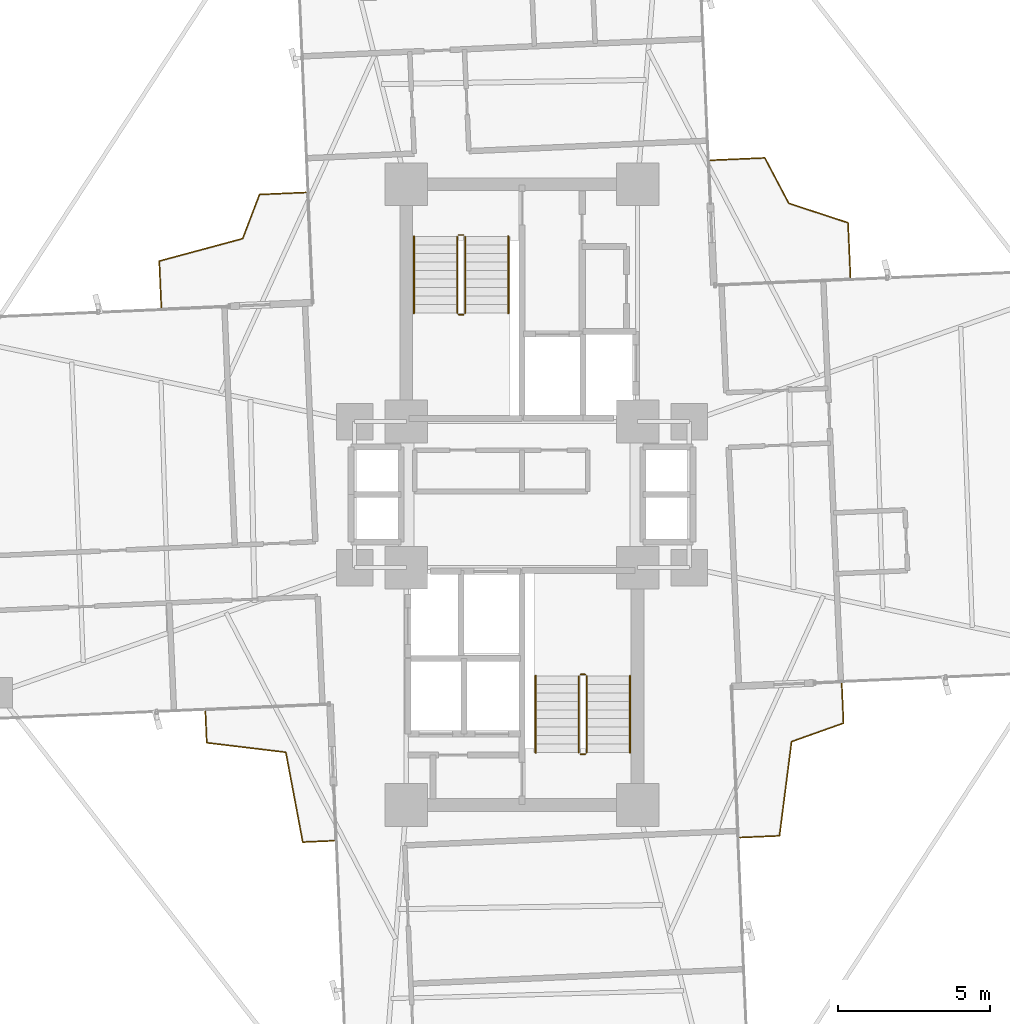
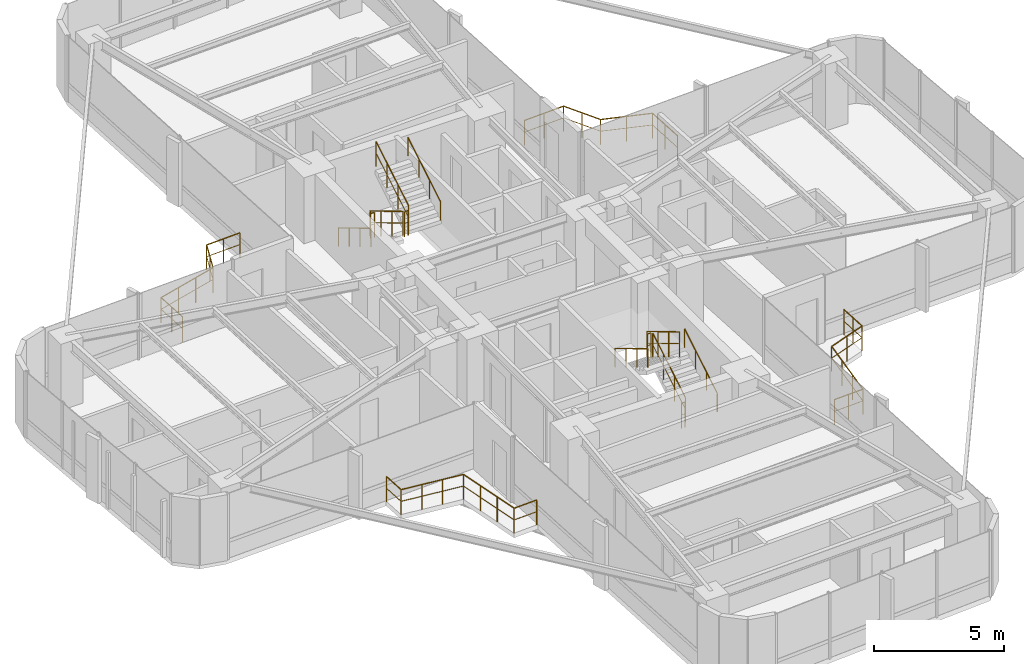
# One storey, part 26 of 26: 16 railings.
"""IFC4 building model written with IfcOpenShell, lengths in metres."""

from ifc_helpers import new_model, si_unit, direction, frame, origin, origin_2d, place, context, subcontext, project, spatial, circle, extrude, material, type_object, element, save


model = new_model("IFC4")

# Units and contexts
model_context = context("Model", 3, precision=1e-05, world=origin(), true_north=direction((0.0, 1.0)))
body_context = subcontext(model_context, "Body", "Model", "MODEL_VIEW")
ifc_project = project(units=[si_unit("LENGTHUNIT", "METRE"), si_unit("AREAUNIT", "SQUARE_METRE"), si_unit("VOLUMEUNIT", "CUBIC_METRE"), si_unit("PLANEANGLEUNIT", "RADIAN"), si_unit("MASSUNIT", "GRAM", prefix="KILO")], contexts=[model_context])

# Site, building, storey
site_placement = place(None, origin())
site = spatial("IfcSite", under=ifc_project, at=site_placement, CompositionType="ELEMENT")
building_placement = place(site_placement, origin())
building = spatial("IfcBuilding", under=site, at=building_placement, Name="Sahyath Konkavel Grand Hotel", CompositionType="ELEMENT")
storey_placement = place(building_placement, frame((0.0, 0.0, 86.85009765625)))
storey = spatial("IfcBuildingStorey", under=building, at=storey_placement, Name="L23", CompositionType="ELEMENT", Elevation=86.85009765625)

# Railings
ifc_material_1 = material(Name="Anodised Bronze Aluminium", Category="aluminium")
railing_type_1 = type_object("IfcRailingType", Name="RLG-BALC-1200", PredefinedType="GUARDRAIL", material=ifc_material_1)
railing_1_placement = place(storey_placement, frame((10.7939453125, 7.1376953125, 0.0)))
element("IfcRailing", 1, at=railing_1_placement, inside=storey, type_object=railing_type_1, Name="L23 Winter-Garden Guard NE", PredefinedType="GUARDRAIL", context=body_context, shape_type="SweptSolid", body=[
    extrude(circle(Radius=0.02392578125, at=origin_2d()), frame((0.0, 0.001953125, 1.17578125), z_axis=(-0.043631878101, 0.999047676146, 0.0), x_axis=(-0.999047676146, -0.043631878101, 0.0)), (0.0, 0.0, 1.0), 1.792236328125),
    extrude(circle(Radius=0.01416015625, at=origin_2d()), frame((0.0, 0.001953125, 0.6240234375), z_axis=(-0.043631878101, 0.999047676146, 0.0), x_axis=(-0.999047676146, -0.043631878101, 0.0)), (0.0, 0.0, 1.0), 1.792236328125),
    extrude(circle(Radius=0.02392578125, at=origin_2d()), frame((-0.080322265625, 1.795166015625, 1.17578125), z_axis=(-0.95035035688, 0.311181939029, 0.0), x_axis=(-0.311181939029, -0.95035035688, 0.0)), (0.0, 0.0, 1.0), 2.04443359375),
    extrude(circle(Radius=0.01416015625, at=origin_2d()), frame((-0.080322265625, 1.795166015625, 0.6240234375), z_axis=(-0.95035035688, 0.311181939029, 0.0), x_axis=(-0.311181939029, -0.95035035688, 0.0)), (0.0, 0.0, 1.0), 2.04443359375),
    extrude(circle(Radius=0.02392578125, at=origin_2d()), frame((-2.026123046875, 2.43359375, 1.17578125), z_axis=(-0.466306338876, 0.884623308716, 0.0), x_axis=(-0.884623308716, -0.466306338876, 0.0)), (0.0, 0.0, 1.0), 1.68505859375),
    extrude(circle(Radius=0.01416015625, at=origin_2d()), frame((-2.026123046875, 2.43359375, 0.6240234375), z_axis=(-0.466306338876, 0.884623308716, 0.0), x_axis=(-0.884623308716, -0.466306338876, 0.0)), (0.0, 0.0, 1.0), 1.68505859375),
    extrude(circle(Radius=0.02392578125, at=origin_2d()), frame((-2.814697265625, 3.926025390625, 1.17578125), z_axis=(-0.999047676146, -0.043631878101, 0.0), x_axis=(0.043631878101, -0.999047676146, 0.0)), (0.0, 0.0, 1.0), 1.792236328125),
    extrude(circle(Radius=0.01416015625, at=origin_2d()), frame((-2.814697265625, 3.926025390625, 0.6240234375), z_axis=(-0.999047676146, -0.043631878101, 0.0), x_axis=(0.043631878101, -0.999047676146, 0.0)), (0.0, 0.0, 1.0), 1.792236328125),
    extrude(circle(Radius=0.02099609375, at=origin_2d()), origin(), (0.0, 0.0, 1.0), 1.15185546875),
    extrude(circle(Radius=0.02099609375, at=origin_2d()), frame((-0.0390625, 0.897216796875, 0.0)), (0.0, 0.0, 1.0), 1.15185546875),
    extrude(circle(Radius=0.02099609375, at=origin_2d()), frame((-0.078369140625, 1.79443359375, 0.0)), (0.0, 0.0, 1.0), 1.15185546875),
    extrude(circle(Radius=0.02099609375, at=origin_2d()), frame((-1.0517578125, 2.11328125, 0.0)), (0.0, 0.0, 1.0), 1.15185546875),
    extrude(circle(Radius=0.02099609375, at=origin_2d()), frame((-2.025146484375, 2.431884765625, 0.0)), (0.0, 0.0, 1.0), 1.15185546875),
    extrude(circle(Radius=0.02099609375, at=origin_2d()), frame((-2.4189453125, 3.178955078125, 0.0)), (0.0, 0.0, 1.0), 1.15185546875),
    extrude(circle(Radius=0.02099609375, at=origin_2d()), frame((-2.812744140625, 3.926025390625, 0.0)), (0.0, 0.0, 1.0), 1.15185546875),
    extrude(circle(Radius=0.02099609375, at=origin_2d()), frame((-3.7099609375, 3.88671875, 0.0)), (0.0, 0.0, 1.0), 1.15185546875),
    extrude(circle(Radius=0.02099609375, at=origin_2d()), frame((-4.607177734375, 3.84765625, 0.0)), (0.0, 0.0, 1.0), 1.15185546875),
])
railing_2_placement = place(storey_placement, frame((-7.099853515625, 9.927734375, 0.0)))
element("IfcRailing", 2, at=railing_2_placement, inside=storey, type_object=railing_type_1, Name="L23 Winter-Garden Guard NW", PredefinedType="GUARDRAIL", context=body_context, shape_type="SweptSolid", body=[
    extrude(circle(Radius=0.02392578125, at=origin_2d()), frame((-0.001953125, 0.0, 1.17578125), z_axis=(-0.999045867904, -0.04367326212, 0.0), x_axis=(0.04367326212, -0.999045867904, 0.0)), (0.0, 0.0, 1.0), 1.522216796875),
    extrude(circle(Radius=0.01416015625, at=origin_2d()), frame((-0.001953125, 0.0, 0.6240234375), z_axis=(-0.999045867904, -0.04367326212, 0.0), x_axis=(0.04367326212, -0.999045867904, 0.0)), (0.0, 0.0, 1.0), 1.522216796875),
    extrude(circle(Radius=0.02392578125, at=origin_2d()), frame((-1.525390625, -0.068603515625, 1.17578125), z_axis=(-0.356923617207, -0.934133572611, 0.0), x_axis=(0.934133572611, -0.356923617207, 0.0)), (0.0, 0.0, 1.0), 1.548828125),
    extrude(circle(Radius=0.01416015625, at=origin_2d()), frame((-1.525390625, -0.068603515625, 0.6240234375), z_axis=(-0.356923617207, -0.934133572611, 0.0), x_axis=(0.934133572611, -0.356923617207, 0.0)), (0.0, 0.0, 1.0), 1.548828125),
    extrude(circle(Radius=0.02392578125, at=origin_2d()), frame((-2.080810546875, -1.517578125, 1.17578125), z_axis=(-0.965659782758, -0.259809899665, 0.0), x_axis=(0.259809899665, -0.965659782758, 0.0)), (0.0, 0.0, 1.0), 2.8330078125),
    extrude(circle(Radius=0.01416015625, at=origin_2d()), frame((-2.080810546875, -1.517578125, 0.6240234375), z_axis=(-0.965659782758, -0.259809899665, 0.0), x_axis=(0.259809899665, -0.965659782758, 0.0)), (0.0, 0.0, 1.0), 2.8330078125),
    extrude(circle(Radius=0.02392578125, at=origin_2d()), frame((-4.818359375, -2.256103515625, 1.17578125), z_axis=(0.04367326212, -0.999045867904, 0.0), x_axis=(0.999045867904, 0.04367326212, 0.0)), (0.0, 0.0, 1.0), 1.522216796875),
    extrude(circle(Radius=0.01416015625, at=origin_2d()), frame((-4.818359375, -2.256103515625, 0.6240234375), z_axis=(0.04367326212, -0.999045867904, 0.0), x_axis=(0.999045867904, 0.04367326212, 0.0)), (0.0, 0.0, 1.0), 1.522216796875),
    extrude(circle(Radius=0.02099609375, at=origin_2d()), origin(), (0.0, 0.0, 1.0), 1.15185546875),
    extrude(circle(Radius=0.02099609375, at=origin_2d()), frame((-0.76220703125, -0.033203125, 0.0)), (0.0, 0.0, 1.0), 1.15185546875),
    extrude(circle(Radius=0.02099609375, at=origin_2d()), frame((-1.524658203125, -0.066650390625, 0.0)), (0.0, 0.0, 1.0), 1.15185546875),
    extrude(circle(Radius=0.02099609375, at=origin_2d()), frame((-1.8017578125, -0.7919921875, 0.0)), (0.0, 0.0, 1.0), 1.15185546875),
    extrude(circle(Radius=0.02099609375, at=origin_2d()), frame((-2.078857421875, -1.51708984375, 0.0)), (0.0, 0.0, 1.0), 1.15185546875),
    extrude(circle(Radius=0.02099609375, at=origin_2d()), frame((-2.991943359375, -1.7626953125, 0.0)), (0.0, 0.0, 1.0), 1.15185546875),
    extrude(circle(Radius=0.02099609375, at=origin_2d()), frame((-3.9052734375, -2.008544921875, 0.0)), (0.0, 0.0, 1.0), 1.15185546875),
    extrude(circle(Radius=0.02099609375, at=origin_2d()), frame((-4.818359375, -2.254150390625, 0.0)), (0.0, 0.0, 1.0), 1.15185546875),
    extrude(circle(Radius=0.02099609375, at=origin_2d()), frame((-4.78515625, -3.0166015625, 0.0)), (0.0, 0.0, 1.0), 1.15185546875),
    extrude(circle(Radius=0.02099609375, at=origin_2d()), frame((-4.751708984375, -3.77880859375, 0.0)), (0.0, 0.0, 1.0), 1.15185546875),
])
railing_3_placement = place(storey_placement, frame((-10.404296875, -7.12060546875, 0.0)))
element("IfcRailing", 3, at=railing_3_placement, inside=storey, type_object=railing_type_1, Name="L23 Winter-Garden Guard SW", PredefinedType="GUARDRAIL", context=body_context, shape_type="SweptSolid", body=[
    extrude(circle(Radius=0.02392578125, at=origin_2d()), frame((0.0, -0.001953125, 1.17578125), z_axis=(0.043600865903, -0.999049030074, 0.0), x_axis=(0.999049030074, 0.043600865903, 0.0)), (0.0, 0.0, 1.0), 1.031982421875),
    extrude(circle(Radius=0.01416015625, at=origin_2d()), frame((0.0, -0.001953125, 0.6240234375), z_axis=(0.043600865903, -0.999049030074, 0.0), x_axis=(0.999049030074, 0.043600865903, 0.0)), (0.0, 0.0, 1.0), 1.031982421875),
    extrude(circle(Radius=0.02392578125, at=origin_2d()), frame((0.047119140625, -1.03515625, 1.17578125), z_axis=(0.992827329131, -0.119557076456, 0.0), x_axis=(0.119557076456, 0.992827329131, 0.0)), (0.0, 0.0, 1.0), 2.614013671875),
    extrude(circle(Radius=0.01416015625, at=origin_2d()), frame((0.047119140625, -1.03515625, 0.6240234375), z_axis=(0.992827329131, -0.119557076456, 0.0), x_axis=(0.119557076456, 0.992827329131, 0.0)), (0.0, 0.0, 1.0), 2.614013671875),
    extrude(circle(Radius=0.02392578125, at=origin_2d()), frame((2.644775390625, -1.349853515625, 1.17578125), z_axis=(0.184926517631, -0.982752350838, 0.0), x_axis=(0.982752350838, 0.184926517631, 0.0)), (0.0, 0.0, 1.0), 2.99951171875),
    extrude(circle(Radius=0.01416015625, at=origin_2d()), frame((2.644775390625, -1.349853515625, 0.6240234375), z_axis=(0.184926517631, -0.982752350838, 0.0), x_axis=(0.982752350838, 0.184926517631, 0.0)), (0.0, 0.0, 1.0), 2.99951171875),
    extrude(circle(Radius=0.02392578125, at=origin_2d()), frame((3.20166015625, -4.299560546875, 1.17578125), z_axis=(0.999049030074, 0.043600865903, 0.0), x_axis=(-0.043600865903, 0.999049030074, 0.0)), (0.0, 0.0, 1.0), 1.031982421875),
    extrude(circle(Radius=0.01416015625, at=origin_2d()), frame((3.20166015625, -4.299560546875, 0.6240234375), z_axis=(0.999049030074, 0.043600865903, 0.0), x_axis=(-0.043600865903, 0.999049030074, 0.0)), (0.0, 0.0, 1.0), 1.031982421875),
    extrude(circle(Radius=0.02099609375, at=origin_2d()), origin(), (0.0, 0.0, 1.0), 1.15185546875),
    extrude(circle(Radius=0.02099609375, at=origin_2d()), frame((0.045166015625, -1.034912109375, 0.0)), (0.0, 0.0, 1.0), 1.15185546875),
    extrude(circle(Radius=0.02099609375, at=origin_2d()), frame((0.91162109375, -1.13916015625, 0.0)), (0.0, 0.0, 1.0), 1.15185546875),
    extrude(circle(Radius=0.02099609375, at=origin_2d()), frame((1.77783203125, -1.24365234375, 0.0)), (0.0, 0.0, 1.0), 1.15185546875),
    extrude(circle(Radius=0.02099609375, at=origin_2d()), frame((2.644287109375, -1.347900390625, 0.0)), (0.0, 0.0, 1.0), 1.15185546875),
    extrude(circle(Radius=0.02099609375, at=origin_2d()), frame((2.829345703125, -2.331787109375, 0.0)), (0.0, 0.0, 1.0), 1.15185546875),
    extrude(circle(Radius=0.02099609375, at=origin_2d()), frame((3.0146484375, -3.315673828125, 0.0)), (0.0, 0.0, 1.0), 1.15185546875),
    extrude(circle(Radius=0.02099609375, at=origin_2d()), frame((3.19970703125, -4.299560546875, 0.0)), (0.0, 0.0, 1.0), 1.15185546875),
    extrude(circle(Radius=0.02099609375, at=origin_2d()), frame((4.234619140625, -4.25439453125, 0.0)), (0.0, 0.0, 1.0), 1.15185546875),
])
railing_4_placement = place(storey_placement, frame((7.158447265625, -11.2705078125, 0.0)))
element("IfcRailing", 4, at=railing_4_placement, inside=storey, type_object=railing_type_1, Name="L23 Winter-Garden Guard SE", PredefinedType="GUARDRAIL", context=body_context, shape_type="SweptSolid", body=[
    extrude(circle(Radius=0.02392578125, at=origin_2d()), frame((0.001953125, 0.0, 1.17578125), z_axis=(0.999042349216, 0.043753679528, 0.0), x_axis=(-0.043753679528, 0.999042349216, 0.0)), (0.0, 0.0, 1.0), 1.3017578125),
    extrude(circle(Radius=0.01416015625, at=origin_2d()), frame((0.001953125, 0.0, 0.6240234375), z_axis=(0.999042349216, 0.043753679528, 0.0), x_axis=(-0.043753679528, 0.999042349216, 0.0)), (0.0, 0.0, 1.0), 1.3017578125),
    extrude(circle(Radius=0.02392578125, at=origin_2d()), frame((1.3046875, 0.05908203125, 1.17578125), z_axis=(0.127144578121, 0.991884194982, 0.0), x_axis=(-0.991884194982, 0.127144578121, 0.0)), (0.0, 0.0, 1.0), 3.1162109375),
    extrude(circle(Radius=0.01416015625, at=origin_2d()), frame((1.3046875, 0.05908203125, 0.6240234375), z_axis=(0.127144578121, 0.991884194982, 0.0), x_axis=(-0.991884194982, 0.127144578121, 0.0)), (0.0, 0.0, 1.0), 3.1162109375),
    extrude(circle(Radius=0.02392578125, at=origin_2d()), frame((1.703125, 3.15283203125, 1.17578125), z_axis=(0.942283717511, 0.334815465166, 0.0), x_axis=(-0.334815465166, 0.942283717511, 0.0)), (0.0, 0.0, 1.0), 1.806640625),
    extrude(circle(Radius=0.01416015625, at=origin_2d()), frame((1.703125, 3.15283203125, 0.6240234375), z_axis=(0.942283717511, 0.334815465166, 0.0), x_axis=(-0.334815465166, 0.942283717511, 0.0)), (0.0, 0.0, 1.0), 1.806640625),
    extrude(circle(Radius=0.02392578125, at=origin_2d()), frame((3.4072265625, 3.76025390625, 1.17578125), z_axis=(-0.043558916611, 0.999050859958, 0.0), x_axis=(-0.999050859958, -0.043558916611, 0.0)), (0.0, 0.0, 1.0), 1.302001953125),
    extrude(circle(Radius=0.01416015625, at=origin_2d()), frame((3.4072265625, 3.76025390625, 0.6240234375), z_axis=(-0.043558916611, 0.999050859958, 0.0), x_axis=(-0.999050859958, -0.043558916611, 0.0)), (0.0, 0.0, 1.0), 1.302001953125),
    extrude(circle(Radius=0.02099609375, at=origin_2d()), origin(), (0.0, 0.0, 1.0), 1.15185546875),
    extrude(circle(Radius=0.02099609375, at=origin_2d()), frame((0.65234375, 0.028564453125, 0.0)), (0.0, 0.0, 1.0), 1.15185546875),
    extrude(circle(Radius=0.02099609375, at=origin_2d()), frame((1.304443359375, 0.05712890625, 0.0)), (0.0, 0.0, 1.0), 1.15185546875),
    extrude(circle(Radius=0.02099609375, at=origin_2d()), frame((1.436767578125, 1.0888671875, 0.0)), (0.0, 0.0, 1.0), 1.15185546875),
    extrude(circle(Radius=0.02099609375, at=origin_2d()), frame((1.56884765625, 2.120361328125, 0.0)), (0.0, 0.0, 1.0), 1.15185546875),
    extrude(circle(Radius=0.02099609375, at=origin_2d()), frame((1.701171875, 3.152099609375, 0.0)), (0.0, 0.0, 1.0), 1.15185546875),
    extrude(circle(Radius=0.02099609375, at=origin_2d()), frame((2.55419921875, 3.455078125, 0.0)), (0.0, 0.0, 1.0), 1.15185546875),
    extrude(circle(Radius=0.02099609375, at=origin_2d()), frame((3.4072265625, 3.75830078125, 0.0)), (0.0, 0.0, 1.0), 1.15185546875),
    extrude(circle(Radius=0.02099609375, at=origin_2d()), frame((3.37890625, 4.41064453125, 0.0)), (0.0, 0.0, 1.0), 1.15185546875),
    extrude(circle(Radius=0.02099609375, at=origin_2d()), frame((3.350341796875, 5.06298828125, 0.0)), (0.0, 0.0, 1.0), 1.15185546875),
])
ifc_material_2 = material(Name="Steel E350", Category="steel")
railing_type_2 = type_object("IfcRailingType", Name="RLG-STAIR-GRD", PredefinedType="GUARDRAIL", material=ifc_material_2)
railing_5_placement = place(storey_placement, frame((-2.1298828125, 8.47998046875, 0.16748046875)))
element("IfcRailing", 5, at=railing_5_placement, inside=storey, type_object=railing_type_2, Name="L23 ST-1 stair guard 1", PredefinedType="GUARDRAIL", context=body_context, shape_type="SweptSolid", body=[
    extrude(circle(Radius=0.02392578125, at=origin_2d()), frame((0.0, -0.001708984375, 1.177001953125), z_axis=(0.0, -0.858196387827, 0.513321497621), x_axis=(1.0, 0.0, 0.0)), (0.0, 0.0, 1.0), 2.932373046875),
    extrude(circle(Radius=0.01416015625, at=origin_2d()), frame((0.0, -0.001708984375, 0.625), z_axis=(0.0, -0.858196387827, 0.513321497621), x_axis=(1.0, 0.0, 0.0)), (0.0, 0.0, 1.0), 2.932373046875),
    extrude(circle(Radius=0.02099609375, at=origin_2d()), origin(), (0.0, 0.0, 1.0), 1.15185546875),
    extrude(circle(Radius=0.02099609375, at=origin_2d()), frame((0.0, -0.840087890625, 0.50244140625)), (0.0, 0.0, 1.0), 1.15185546875),
    extrude(circle(Radius=0.02099609375, at=origin_2d()), frame((0.0, -1.679931640625, 1.0048828125)), (0.0, 0.0, 1.0), 1.15185546875),
    extrude(circle(Radius=0.02099609375, at=origin_2d()), frame((0.0, -2.52001953125, 1.50732421875)), (0.0, 0.0, 1.0), 1.15185546875),
])
railing_6_placement = place(storey_placement, frame((-2.080078125, 5.909912109375, 1.6748046875)))
element("IfcRailing", 6, at=railing_6_placement, inside=storey, type_object=railing_type_2, Name="L23 ST-1 stair guard 2", PredefinedType="GUARDRAIL", context=body_context, shape_type="SweptSolid", body=[
    extrude(circle(Radius=0.02392578125, at=origin_2d()), frame((0.001953125, 0.0, 1.17578125), z_axis=(1.0, 0.0, 0.0), x_axis=(0.0, 1.0, 0.0)), (0.0, 0.0, 1.0), 0.15625),
    extrude(circle(Radius=0.01416015625, at=origin_2d()), frame((0.001953125, 0.0, 0.6240234375), z_axis=(1.0, 0.0, 0.0), x_axis=(0.0, 1.0, 0.0)), (0.0, 0.0, 1.0), 0.15625),
    extrude(circle(Radius=0.02099609375, at=origin_2d()), origin(), (0.0, 0.0, 1.0), 1.15185546875),
    extrude(circle(Radius=0.02099609375, at=origin_2d()), frame((0.16015625, 0.0, 0.0)), (0.0, 0.0, 1.0), 1.15185546875),
])
railing_7_placement = place(storey_placement, frame((-1.8701171875, 5.9599609375, 1.84228515625)))
element("IfcRailing", 7, at=railing_7_placement, inside=storey, type_object=railing_type_2, Name="L23 ST-1 stair guard 3", PredefinedType="GUARDRAIL", context=body_context, shape_type="SweptSolid", body=[
    extrude(circle(Radius=0.02392578125, at=origin_2d()), frame((0.0, 0.001708984375, 1.177001953125), z_axis=(0.0, 0.858159760407, 0.513382728203), x_axis=(-1.0, 0.0, 0.0)), (0.0, 0.0, 1.0), 2.9326171875),
    extrude(circle(Radius=0.01416015625, at=origin_2d()), frame((0.0, 0.001708984375, 0.625), z_axis=(0.0, 0.858159760407, 0.513382728203), x_axis=(-1.0, 0.0, 0.0)), (0.0, 0.0, 1.0), 2.9326171875),
    extrude(circle(Radius=0.02099609375, at=origin_2d()), origin(), (0.0, 0.0, 1.0), 1.15185546875),
    extrude(circle(Radius=0.02099609375, at=origin_2d()), frame((0.0, 0.840087890625, 0.50244140625)), (0.0, 0.0, 1.0), 1.15185546875),
    extrude(circle(Radius=0.02099609375, at=origin_2d()), frame((0.0, 1.679931640625, 1.005126953125)), (0.0, 0.0, 1.0), 1.15185546875),
    extrude(circle(Radius=0.02099609375, at=origin_2d()), frame((0.0, 2.52001953125, 1.507568359375)), (0.0, 0.0, 1.0), 1.15185546875),
])
railing_8_placement = place(storey_placement, frame((-2.080078125, 8.530029296875, 0.0)))
element("IfcRailing", 8, at=railing_8_placement, inside=storey, type_object=railing_type_2, Name="L23 ST-1 stair guard 4", PredefinedType="GUARDRAIL", context=body_context, shape_type="SweptSolid", body=[
    extrude(circle(Radius=0.02392578125, at=origin_2d()), frame((0.001953125, 0.0, 1.17578125), z_axis=(1.0, 0.0, 0.0), x_axis=(0.0, 1.0, 0.0)), (0.0, 0.0, 1.0), 0.15625),
    extrude(circle(Radius=0.01416015625, at=origin_2d()), frame((0.001953125, 0.0, 0.6240234375), z_axis=(1.0, 0.0, 0.0), x_axis=(0.0, 1.0, 0.0)), (0.0, 0.0, 1.0), 0.15625),
    extrude(circle(Radius=0.02099609375, at=origin_2d()), origin(), (0.0, 0.0, 1.0), 1.15185546875),
    extrude(circle(Radius=0.02099609375, at=origin_2d()), frame((0.16015625, 0.0, 0.0)), (0.0, 0.0, 1.0), 1.15185546875),
])
railing_9_placement = place(storey_placement, frame((2.1298828125, -8.47998046875, 0.16748046875)))
element("IfcRailing", 9, at=railing_9_placement, inside=storey, type_object=railing_type_2, Name="L23 ST-2 stair guard 1", PredefinedType="GUARDRAIL", context=body_context, shape_type="SweptSolid", body=[
    extrude(circle(Radius=0.02392578125, at=origin_2d()), frame((0.0, 0.001708984375, 1.177001953125), z_axis=(0.0, 0.858196387827, 0.513321497621), x_axis=(-1.0, 0.0, 0.0)), (0.0, 0.0, 1.0), 2.932373046875),
    extrude(circle(Radius=0.01416015625, at=origin_2d()), frame((0.0, 0.001708984375, 0.625), z_axis=(0.0, 0.858196387827, 0.513321497621), x_axis=(-1.0, 0.0, 0.0)), (0.0, 0.0, 1.0), 2.932373046875),
    extrude(circle(Radius=0.02099609375, at=origin_2d()), origin(), (0.0, 0.0, 1.0), 1.15185546875),
    extrude(circle(Radius=0.02099609375, at=origin_2d()), frame((0.0, 0.840087890625, 0.50244140625)), (0.0, 0.0, 1.0), 1.15185546875),
    extrude(circle(Radius=0.02099609375, at=origin_2d()), frame((0.0, 1.679931640625, 1.0048828125)), (0.0, 0.0, 1.0), 1.15185546875),
    extrude(circle(Radius=0.02099609375, at=origin_2d()), frame((0.0, 2.52001953125, 1.50732421875)), (0.0, 0.0, 1.0), 1.15185546875),
])
railing_10_placement = place(storey_placement, frame((2.080078125, -5.909912109375, 1.6748046875)))
element("IfcRailing", 10, at=railing_10_placement, inside=storey, type_object=railing_type_2, Name="L23 ST-2 stair guard 2", PredefinedType="GUARDRAIL", context=body_context, shape_type="SweptSolid", body=[
    extrude(circle(Radius=0.02392578125, at=origin_2d()), frame((-0.001953125, 0.0, 1.17578125), z_axis=(-1.0, 0.0, 0.0), x_axis=(0.0, -1.0, 0.0)), (0.0, 0.0, 1.0), 0.15625),
    extrude(circle(Radius=0.01416015625, at=origin_2d()), frame((-0.001953125, 0.0, 0.6240234375), z_axis=(-1.0, 0.0, 0.0), x_axis=(0.0, -1.0, 0.0)), (0.0, 0.0, 1.0), 0.15625),
    extrude(circle(Radius=0.02099609375, at=origin_2d()), origin(), (0.0, 0.0, 1.0), 1.15185546875),
    extrude(circle(Radius=0.02099609375, at=origin_2d()), frame((-0.16015625, 0.0, 0.0)), (0.0, 0.0, 1.0), 1.15185546875),
])
railing_11_placement = place(storey_placement, frame((1.8701171875, -5.9599609375, 1.84228515625)))
element("IfcRailing", 11, at=railing_11_placement, inside=storey, type_object=railing_type_2, Name="L23 ST-2 stair guard 3", PredefinedType="GUARDRAIL", context=body_context, shape_type="SweptSolid", body=[
    extrude(circle(Radius=0.02392578125, at=origin_2d()), frame((0.0, -0.001708984375, 1.177001953125), z_axis=(0.0, -0.858159760407, 0.513382728203), x_axis=(1.0, 0.0, 0.0)), (0.0, 0.0, 1.0), 2.9326171875),
    extrude(circle(Radius=0.01416015625, at=origin_2d()), frame((0.0, -0.001708984375, 0.625), z_axis=(0.0, -0.858159760407, 0.513382728203), x_axis=(1.0, 0.0, 0.0)), (0.0, 0.0, 1.0), 2.9326171875),
    extrude(circle(Radius=0.02099609375, at=origin_2d()), origin(), (0.0, 0.0, 1.0), 1.15185546875),
    extrude(circle(Radius=0.02099609375, at=origin_2d()), frame((0.0, -0.840087890625, 0.50244140625)), (0.0, 0.0, 1.0), 1.15185546875),
    extrude(circle(Radius=0.02099609375, at=origin_2d()), frame((0.0, -1.679931640625, 1.005126953125)), (0.0, 0.0, 1.0), 1.15185546875),
    extrude(circle(Radius=0.02099609375, at=origin_2d()), frame((0.0, -2.52001953125, 1.507568359375)), (0.0, 0.0, 1.0), 1.15185546875),
])
railing_12_placement = place(storey_placement, frame((2.080078125, -8.530029296875, 0.0)))
element("IfcRailing", 12, at=railing_12_placement, inside=storey, type_object=railing_type_2, Name="L23 ST-2 stair guard 4", PredefinedType="GUARDRAIL", context=body_context, shape_type="SweptSolid", body=[
    extrude(circle(Radius=0.02392578125, at=origin_2d()), frame((-0.001953125, 0.0, 1.17578125), z_axis=(-1.0, 0.0, 0.0), x_axis=(0.0, -1.0, 0.0)), (0.0, 0.0, 1.0), 0.15625),
    extrude(circle(Radius=0.01416015625, at=origin_2d()), frame((-0.001953125, 0.0, 0.6240234375), z_axis=(-1.0, 0.0, 0.0), x_axis=(0.0, -1.0, 0.0)), (0.0, 0.0, 1.0), 0.15625),
    extrude(circle(Radius=0.02099609375, at=origin_2d()), origin(), (0.0, 0.0, 1.0), 1.15185546875),
    extrude(circle(Radius=0.02099609375, at=origin_2d()), frame((-0.16015625, 0.0, 0.0)), (0.0, 0.0, 1.0), 1.15185546875),
])
railing_type_3 = type_object("IfcRailingType", Name="RLG-STAIR-HND", PredefinedType="HANDRAIL", material=ifc_material_1)
railing_13_placement = place(storey_placement, frame((-3.550048828125, 8.47998046875, 0.16748046875)))
element("IfcRailing", 13, at=railing_13_placement, inside=storey, type_object=railing_type_3, Name="L23 ST-1 stair handrail 1", PredefinedType="HANDRAIL", context=body_context, shape_type="SweptSolid", body=[
    extrude(circle(Radius=0.02392578125, at=origin_2d()), frame((0.0, -0.001708984375, 0.876953125), z_axis=(0.0, -0.858196387827, 0.513321497621), x_axis=(1.0, 0.0, 0.0)), (0.0, 0.0, 1.0), 2.932373046875),
    extrude(circle(Radius=0.02099609375, at=origin_2d()), origin(), (0.0, 0.0, 1.0), 0.851806640625),
    extrude(circle(Radius=0.02099609375, at=origin_2d()), frame((0.0, -0.840087890625, 0.50244140625)), (0.0, 0.0, 1.0), 0.851806640625),
    extrude(circle(Radius=0.02099609375, at=origin_2d()), frame((0.0, -1.679931640625, 1.0048828125)), (0.0, 0.0, 1.0), 0.851806640625),
    extrude(circle(Radius=0.02099609375, at=origin_2d()), frame((0.0, -2.52001953125, 1.50732421875)), (0.0, 0.0, 1.0), 0.851806640625),
])
railing_14_placement = place(storey_placement, frame((-0.449951171875, 5.9599609375, 1.84228515625)))
element("IfcRailing", 14, at=railing_14_placement, inside=storey, type_object=railing_type_3, Name="L23 ST-1 stair handrail 2", PredefinedType="HANDRAIL", context=body_context, shape_type="SweptSolid", body=[
    extrude(circle(Radius=0.02392578125, at=origin_2d()), frame((0.0, 0.001708984375, 0.876953125), z_axis=(0.0, 0.858159760407, 0.513382728203), x_axis=(-1.0, 0.0, 0.0)), (0.0, 0.0, 1.0), 2.9326171875),
    extrude(circle(Radius=0.02099609375, at=origin_2d()), origin(), (0.0, 0.0, 1.0), 0.851806640625),
    extrude(circle(Radius=0.02099609375, at=origin_2d()), frame((0.0, 0.840087890625, 0.50244140625)), (0.0, 0.0, 1.0), 0.851806640625),
    extrude(circle(Radius=0.02099609375, at=origin_2d()), frame((0.0, 1.679931640625, 1.005126953125)), (0.0, 0.0, 1.0), 0.851806640625),
    extrude(circle(Radius=0.02099609375, at=origin_2d()), frame((0.0, 2.52001953125, 1.507568359375)), (0.0, 0.0, 1.0), 0.851806640625),
])
railing_15_placement = place(storey_placement, frame((3.550048828125, -8.47998046875, 0.16748046875)))
element("IfcRailing", 15, at=railing_15_placement, inside=storey, type_object=railing_type_3, Name="L23 ST-2 stair handrail 1", PredefinedType="HANDRAIL", context=body_context, shape_type="SweptSolid", body=[
    extrude(circle(Radius=0.02392578125, at=origin_2d()), frame((0.0, 0.001708984375, 0.876953125), z_axis=(0.0, 0.858196387827, 0.513321497621), x_axis=(-1.0, 0.0, 0.0)), (0.0, 0.0, 1.0), 2.932373046875),
    extrude(circle(Radius=0.02099609375, at=origin_2d()), origin(), (0.0, 0.0, 1.0), 0.851806640625),
    extrude(circle(Radius=0.02099609375, at=origin_2d()), frame((0.0, 0.840087890625, 0.50244140625)), (0.0, 0.0, 1.0), 0.851806640625),
    extrude(circle(Radius=0.02099609375, at=origin_2d()), frame((0.0, 1.679931640625, 1.0048828125)), (0.0, 0.0, 1.0), 0.851806640625),
    extrude(circle(Radius=0.02099609375, at=origin_2d()), frame((0.0, 2.52001953125, 1.50732421875)), (0.0, 0.0, 1.0), 0.851806640625),
])
railing_16_placement = place(storey_placement, frame((0.449951171875, -5.9599609375, 1.84228515625)))
element("IfcRailing", 16, at=railing_16_placement, inside=storey, type_object=railing_type_3, Name="L23 ST-2 stair handrail 2", PredefinedType="HANDRAIL", context=body_context, shape_type="SweptSolid", body=[
    extrude(circle(Radius=0.02392578125, at=origin_2d()), frame((0.0, -0.001708984375, 0.876953125), z_axis=(0.0, -0.858159760407, 0.513382728203), x_axis=(1.0, 0.0, 0.0)), (0.0, 0.0, 1.0), 2.9326171875),
    extrude(circle(Radius=0.02099609375, at=origin_2d()), origin(), (0.0, 0.0, 1.0), 0.851806640625),
    extrude(circle(Radius=0.02099609375, at=origin_2d()), frame((0.0, -0.840087890625, 0.50244140625)), (0.0, 0.0, 1.0), 0.851806640625),
    extrude(circle(Radius=0.02099609375, at=origin_2d()), frame((0.0, -1.679931640625, 1.005126953125)), (0.0, 0.0, 1.0), 0.851806640625),
    extrude(circle(Radius=0.02099609375, at=origin_2d()), frame((0.0, -2.52001953125, 1.507568359375)), (0.0, 0.0, 1.0), 0.851806640625),
])

save(model, "model.ifc")
